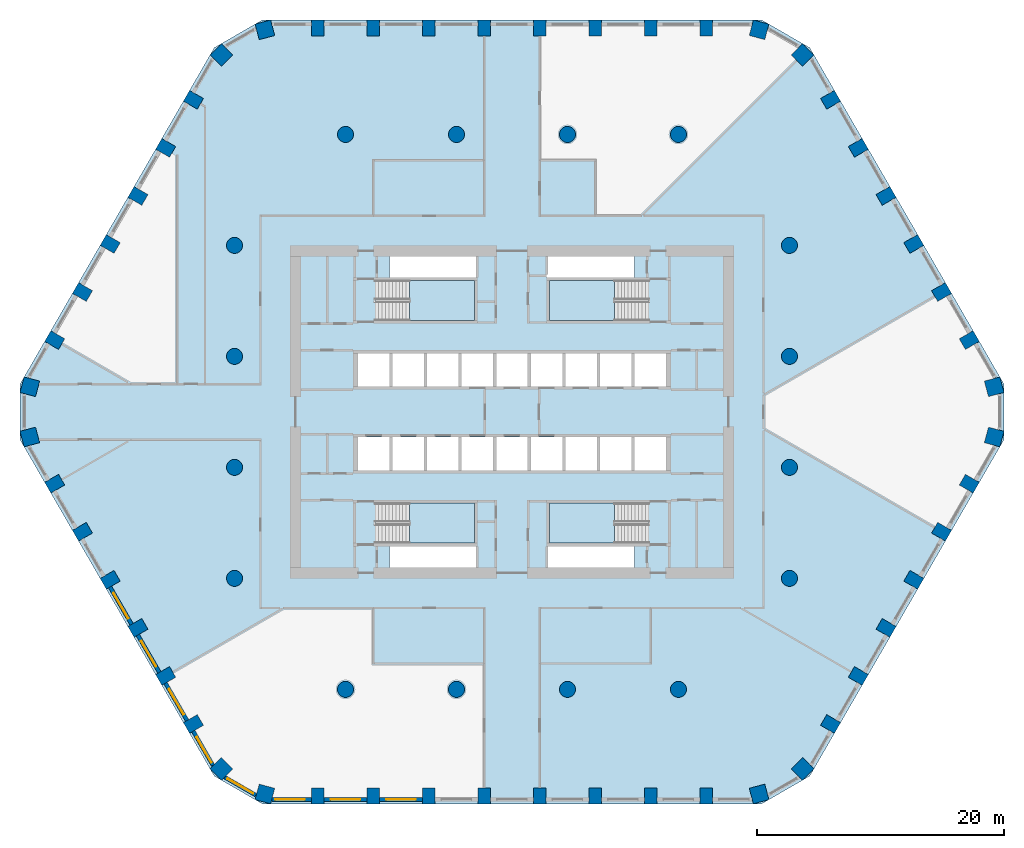
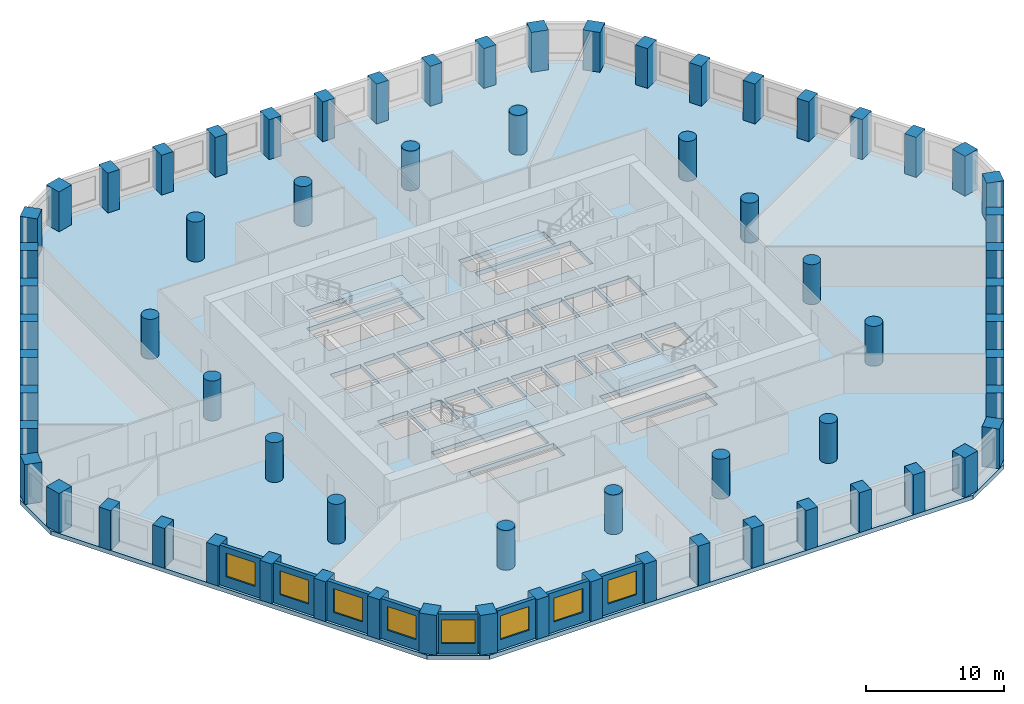
# One storey, part 1 of 14: 68 columns, 8 walls, 8 windows, 5 slabs, 8 openings, 4 elements without a shape of their own.
"""IFC4 building model written with IfcOpenShell, lengths in metres."""

from ifc_helpers import new_model, si_unit, direction, frame, frame_2d, origin, origin_2d, place, context, subcontext, project, spatial, polyline, rectangle, circle, outline, extrude, material, layer, layer_set, material_profile, profile_set, type_object, element, fill, aggregate, save


model = new_model("IFC4")

# Units and contexts
model_context = context("Model", 3, precision=1e-05, world=origin(), true_north=direction((0.0, 1.0)))
body_context = subcontext(model_context, "Body", "Model", "MODEL_VIEW")
ifc_project = project(units=[si_unit("LENGTHUNIT", "METRE"), si_unit("AREAUNIT", "SQUARE_METRE"), si_unit("VOLUMEUNIT", "CUBIC_METRE"), si_unit("PLANEANGLEUNIT", "RADIAN"), si_unit("MASSUNIT", "GRAM", prefix="KILO")], contexts=[model_context])

# Site, building, storey
site_placement = place(None, origin())
site = spatial("IfcSite", under=ifc_project, at=site_placement, CompositionType="ELEMENT")
building_placement = place(site_placement, origin())
building = spatial("IfcBuilding", under=site, at=building_placement, Name="Dhurran Vertical Campus", CompositionType="ELEMENT")
storey_placement = place(building_placement, frame((0.0, 0.0, 93.0)))
storey = spatial("IfcBuildingStorey", under=building, at=storey_placement, Name="L22", CompositionType="ELEMENT", Elevation=93.0)

# Columns
ifc_material_1 = material(Name="Concrete C60/75", Category="concrete")
ifc_material_profile_1 = material_profile(ifc_material_1, rectangle(XDim=1.0, YDim=1.300048828125, at=origin_2d()), Name="RC 1000x1300")
ifc_profile_set_1 = profile_set([ifc_material_profile_1], Name="Concrete C60/75")
column_type_1 = type_object("IfcColumnType", Name="FR COL RC 1000x1300 C60/75", PredefinedType="COLUMN", material=ifc_profile_set_1)
for number, where, z_axis, x_axis, name in (
    (1, (-15.75, -31.1298828125, 0.0), (0.0, 0.0, 1.0), (1.0, 0.0, 0.0), "Perimeter pier PP2.01"),
    (2, (-11.25, -31.1298828125, 0.0), (0.0, 0.0, 1.0), (1.0, 0.0, 0.0), "Perimeter pier PP2.02"),
    (3, (-6.75, -31.1298828125, 0.0), (0.0, 0.0, 1.0), (1.0, 0.0, 0.0), "Perimeter pier PP2.03"),
    (4, (-2.25, -31.1298828125, 0.0), (0.0, 0.0, 1.0), (1.0, 0.0, 0.0), "Perimeter pier PP2.04"),
    (5, (2.25, -31.1298828125, 0.0), (0.0, 0.0, 1.0), (1.0, 0.0, 0.0), "Perimeter pier PP2.05"),
    (6, (6.75, -31.1298828125, 0.0), (0.0, 0.0, 1.0), (1.0, 0.0, 0.0), "Perimeter pier PP2.06"),
    (7, (11.25, -31.1298828125, 0.0), (0.0, 0.0, 1.0), (1.0, 0.0, 0.0), "Perimeter pier PP2.07"),
    (8, (15.75, -31.1298828125, 0.0), (0.0, 0.0, 1.0), (1.0, 0.0, 0.0), "Perimeter pier PP2.08"),
    (9, (25.834228515625, -25.3076171875, 0.0), (0.0, 0.0, 1.0), (0.5, 0.866025403784, 0.0), "Perimeter pier PP2.11"),
    (10, (28.084228515625, -21.41064453125, 0.0), (0.0, 0.0, 1.0), (0.5, 0.866025403784, 0.0), "Perimeter pier PP2.12"),
    (11, (30.334228515625, -17.513427734375, 0.0), (0.0, 0.0, 1.0), (0.5, 0.866025403784, 0.0), "Perimeter pier PP2.13"),
    (12, (32.584228515625, -13.6162109375, 0.0), (0.0, 0.0, 1.0), (0.5, 0.866025403784, 0.0), "Perimeter pier PP2.14"),
    (13, (34.834228515625, -9.71923828125, 0.0), (0.0, 0.0, 1.0), (0.5, 0.866025403784, 0.0), "Perimeter pier PP2.15"),
    (14, (37.084228515625, -5.822021484375, 0.0), (0.0, 0.0, 1.0), (0.5, 0.866025403784, 0.0), "Perimeter pier PP2.16"),
    (15, (37.084228515625, 5.822021484375, 0.0), (0.0, 0.0, 1.0), (-0.5, 0.866025403784, 0.0), "Perimeter pier PP2.19"),
    (16, (34.834228515625, 9.71923828125, 0.0), (0.0, 0.0, 1.0), (-0.5, 0.866025403784, 0.0), "Perimeter pier PP2.20"),
    (17, (32.584228515625, 13.6162109375, 0.0), (0.0, 0.0, 1.0), (-0.5, 0.866025403784, 0.0), "Perimeter pier PP2.21"),
    (18, (30.334228515625, 17.513427734375, 0.0), (0.0, 0.0, 1.0), (-0.5, 0.866025403784, 0.0), "Perimeter pier PP2.22"),
    (19, (28.084228515625, 21.41064453125, 0.0), (0.0, 0.0, 1.0), (-0.5, 0.866025403784, 0.0), "Perimeter pier PP2.23"),
    (20, (25.834228515625, 25.3076171875, 0.0), (0.0, 0.0, 1.0), (-0.5, 0.866025403784, 0.0), "Perimeter pier PP2.24"),
    (21, (15.75, 31.1298828125, 0.0), (0.0, 0.0, 1.0), (-1.0, 0.0, 0.0), "Perimeter pier PP2.27"),
    (22, (11.25, 31.1298828125, 0.0), (0.0, 0.0, 1.0), (-1.0, 0.0, 0.0), "Perimeter pier PP2.28"),
    (23, (6.75, 31.1298828125, 0.0), (0.0, 0.0, 1.0), (-1.0, 0.0, 0.0), "Perimeter pier PP2.29"),
    (24, (2.25, 31.1298828125, 0.0), (0.0, 0.0, 1.0), (-1.0, 0.0, 0.0), "Perimeter pier PP2.30"),
    (25, (-2.25, 31.1298828125, 0.0), (0.0, 0.0, 1.0), (-1.0, 0.0, 0.0), "Perimeter pier PP2.31"),
    (26, (-6.75, 31.1298828125, 0.0), (0.0, 0.0, 1.0), (-1.0, 0.0, 0.0), "Perimeter pier PP2.32"),
    (27, (-11.25, 31.1298828125, 0.0), (0.0, 0.0, 1.0), (-1.0, 0.0, 0.0), "Perimeter pier PP2.33"),
    (28, (-15.75, 31.1298828125, 0.0), (0.0, 0.0, 1.0), (-1.0, 0.0, 0.0), "Perimeter pier PP2.34"),
    (29, (-25.834228515625, 25.3076171875, 0.0), (0.0, 0.0, 1.0), (-0.5, -0.866025403784, 0.0), "Perimeter pier PP2.37"),
    (30, (-28.084228515625, 21.41064453125, 0.0), (0.0, 0.0, 1.0), (-0.5, -0.866025403784, 0.0), "Perimeter pier PP2.38"),
    (31, (-30.334228515625, 17.513427734375, 0.0), (0.0, 0.0, 1.0), (-0.5, -0.866025403784, 0.0), "Perimeter pier PP2.39"),
    (32, (-32.584228515625, 13.6162109375, 0.0), (0.0, 0.0, 1.0), (-0.5, -0.866025403784, 0.0), "Perimeter pier PP2.40"),
    (33, (-34.834228515625, 9.71923828125, 0.0), (0.0, 0.0, 1.0), (-0.5, -0.866025403784, 0.0), "Perimeter pier PP2.41"),
    (34, (-37.084228515625, 5.822021484375, 0.0), (0.0, 0.0, 1.0), (-0.5, -0.866025403784, 0.0), "Perimeter pier PP2.42"),
    (35, (-37.084228515625, -5.822021484375, 0.0), (0.0, 0.0, 1.0), (0.5, -0.866025403784, 0.0), "Perimeter pier PP2.45"),
    (36, (-34.834228515625, -9.71923828125, 0.0), (0.0, 0.0, 1.0), (0.5, -0.866025403784, 0.0), "Perimeter pier PP2.46"),
    (37, (-32.584228515625, -13.6162109375, 0.0), (0.0, 0.0, 1.0), (0.5, -0.866025403784, 0.0), "Perimeter pier PP2.47"),
    (38, (-30.334228515625, -17.513427734375, 0.0), (0.0, 0.0, 1.0), (0.5, -0.866025403784, 0.0), "Perimeter pier PP2.48"),
    (39, (-28.084228515625, -21.41064453125, 0.0), (0.0, 0.0, 1.0), (0.5, -0.866025403784, 0.0), "Perimeter pier PP2.49"),
    (40, (-25.834228515625, -25.3076171875, 0.0), (0.0, 0.0, 1.0), (0.5, -0.866025403784, 0.0), "Perimeter pier PP2.50"),
):
    element("IfcColumn", number, at=place(storey_placement, frame(where, z_axis=z_axis, x_axis=x_axis)), inside=storey, type_object=column_type_1, Name=name, PredefinedType="COLUMN", context=body_context, shape_type="SweptSolid", body=[
        extrude(rectangle(XDim=1.0, YDim=1.300048828125, at=origin_2d()), origin(), (0.0, 0.0, 1.0), 3.52490234375),
    ])
ifc_material_2 = material(Name="Concrete C60/75", Category="concrete")
ifc_material_profile_2 = material_profile(ifc_material_2, rectangle(XDim=1.300048828125, YDim=1.300048828125, at=origin_2d()), Name="RC 1300x1300")
ifc_profile_set_2 = profile_set([ifc_material_profile_2], Name="Concrete C60/75")
column_type_2 = type_object("IfcColumnType", Name="FR COL RC 1300x1300 C60/75", PredefinedType="COLUMN", material=ifc_profile_set_2)
for number, where, z_axis, x_axis, name in (
    (41, (-20.03662109375, -30.983642578125, 0.0), (0.0, 0.0, 1.0), (0.965925826289, -0.258819045103, 0.0), "Perimeter pier PP2.00"),
    (42, (20.03662109375, -30.983642578125, 0.0), (0.0, 0.0, 1.0), (0.965925826289, 0.258819045103, 0.0), "Perimeter pier PP2.09"),
    (43, (23.564208984375, -28.947021484375, 0.0), (0.0, 0.0, 1.0), (0.707106781187, 0.707106781187, 0.0), "Perimeter pier PP2.10"),
    (44, (39.10107421875, -2.03662109375, 0.0), (0.0, 0.0, 1.0), (0.258819045103, 0.965925826289, 0.0), "Perimeter pier PP2.17"),
    (45, (39.10107421875, 2.03662109375, 0.0), (0.0, 0.0, 1.0), (-0.258819045103, 0.965925826289, 0.0), "Perimeter pier PP2.18"),
    (46, (23.564208984375, 28.947021484375, 0.0), (0.0, 0.0, 1.0), (-0.707106781187, 0.707106781187, 0.0), "Perimeter pier PP2.25"),
    (47, (20.03662109375, 30.983642578125, 0.0), (0.0, 0.0, 1.0), (-0.965925826289, 0.258819045103, 0.0), "Perimeter pier PP2.26"),
    (48, (-20.03662109375, 30.983642578125, 0.0), (0.0, 0.0, 1.0), (-0.965925826289, -0.258819045103, 0.0), "Perimeter pier PP2.35"),
    (49, (-23.564208984375, 28.947021484375, 0.0), (0.0, 0.0, 1.0), (-0.707106781187, -0.707106781187, 0.0), "Perimeter pier PP2.36"),
    (50, (-39.10107421875, 2.03662109375, 0.0), (0.0, 0.0, 1.0), (-0.258819045103, -0.965925826289, 0.0), "Perimeter pier PP2.43"),
    (51, (-39.10107421875, -2.03662109375, 0.0), (0.0, 0.0, 1.0), (0.258819045103, -0.965925826289, 0.0), "Perimeter pier PP2.44"),
    (52, (-23.564208984375, -28.947021484375, 0.0), (0.0, 0.0, 1.0), (0.707106781187, -0.707106781187, 0.0), "Perimeter pier PP2.51"),
):
    element("IfcColumn", number, at=place(storey_placement, frame(where, z_axis=z_axis, x_axis=x_axis)), inside=storey, type_object=column_type_2, Name=name, PredefinedType="COLUMN", context=body_context, shape_type="SweptSolid", body=[
        extrude(rectangle(XDim=1.300048828125, YDim=1.300048828125, at=origin_2d()), origin(), (0.0, 0.0, 1.0), 3.52490234375),
    ])
ifc_material_3 = material(Name="Concrete C60/75", Category="concrete")
ifc_material_profile_3 = material_profile(ifc_material_3, circle(Radius=0.64990234375, at=origin_2d()), Name="RCC D1300")
ifc_profile_set_3 = profile_set([ifc_material_profile_3], Name="Concrete C60/75")
column_type_3 = type_object("IfcColumnType", Name="FR COL RCC D1300 C60/75", PredefinedType="COLUMN", material=ifc_profile_set_3)
for number, where, z_axis, x_axis, name in (
    (53, (-22.5, -13.5, 0.0), (0.0, 0.0, 1.0), (1.0, 0.0, 0.0), "Inner column IC2-D4"),
    (54, (-22.5, -4.5, 0.0), (0.0, 0.0, 1.0), (1.0, 0.0, 0.0), "Inner column IC2-D5"),
    (55, (-22.5, 4.5, 0.0), (0.0, 0.0, 1.0), (1.0, 0.0, 0.0), "Inner column IC2-D6"),
    (56, (-22.5, 13.5, 0.0), (0.0, 0.0, 1.0), (1.0, 0.0, 0.0), "Inner column IC2-D7"),
    (57, (-13.5, -22.5, 0.0), (0.0, 0.0, 1.0), (1.0, 0.0, 0.0), "Inner column IC2-E3"),
    (58, (-13.5, 22.5, 0.0), (0.0, 0.0, 1.0), (1.0, 0.0, 0.0), "Inner column IC2-E8"),
    (59, (-4.5, -22.5, 0.0), (0.0, 0.0, 1.0), (1.0, 0.0, 0.0), "Inner column IC2-F3"),
    (60, (-4.5, 22.5, 0.0), (0.0, 0.0, 1.0), (1.0, 0.0, 0.0), "Inner column IC2-F8"),
    (61, (4.5, -22.5, 0.0), (0.0, 0.0, 1.0), (1.0, 0.0, 0.0), "Inner column IC2-G3"),
    (62, (4.5, 22.5, 0.0), (0.0, 0.0, 1.0), (1.0, 0.0, 0.0), "Inner column IC2-G8"),
    (63, (13.5, -22.5, 0.0), (0.0, 0.0, 1.0), (1.0, 0.0, 0.0), "Inner column IC2-H3"),
    (64, (13.5, 22.5, 0.0), (0.0, 0.0, 1.0), (1.0, 0.0, 0.0), "Inner column IC2-H8"),
    (65, (22.5, -13.5, 0.0), (0.0, 0.0, 1.0), (1.0, 0.0, 0.0), "Inner column IC2-J4"),
    (66, (22.5, -4.5, 0.0), (0.0, 0.0, 1.0), (1.0, 0.0, 0.0), "Inner column IC2-J5"),
    (67, (22.5, 4.5, 0.0), (0.0, 0.0, 1.0), (1.0, 0.0, 0.0), "Inner column IC2-J6"),
    (68, (22.5, 13.5, 0.0), (0.0, 0.0, 1.0), (1.0, 0.0, 0.0), "Inner column IC2-J7"),
):
    element("IfcColumn", number, at=place(storey_placement, frame(where, z_axis=z_axis, x_axis=x_axis)), inside=storey, type_object=column_type_3, Name=name, PredefinedType="COLUMN", context=body_context, shape_type="SweptSolid", body=[
        extrude(circle(Radius=0.64990234375, at=origin_2d()), origin(), (0.0, 0.0, 1.0), 3.52490234375),
    ])

# Slab
ifc_material_4 = material(Name="Concrete C40/50", Category="concrete")
ifc_layer_1 = layer(ifc_material_4, 0.375)
ifc_layer_set_1 = layer_set([ifc_layer_1], Name="Concrete C40/50")
slab_type_1 = type_object("IfcSlabType", Name="FR POST-TENSIONED FLAT SLAB 375", PredefinedType="FLOOR", material=ifc_layer_set_1)
slab_1_placement = place(storey_placement, frame((0.0, 0.0, -0.375)))
element("IfcSlab", 69, at=slab_1_placement, inside=storey, type_object=slab_type_1, Name="Floor slab L22", PredefinedType="FLOOR", context=body_context, shape_type="SweptSolid", body=[
    extrude(outline(polyline([(-20.25, -31.77978515625), (20.25, -31.77978515625), (24.147216796875, -29.52978515625), (39.897216796875, -2.25), (39.897216796875, 2.25), (24.147216796875, 29.52978515625), (20.25, 31.77978515625), (-20.25, 31.77978515625), (-24.147216796875, 29.52978515625), (-39.897216796875, 2.25), (-39.897216796875, -2.25), (-24.147216796875, -29.52978515625), (-20.25, -31.77978515625)]), holes=[polyline([(-12.47509765625, 2.050048828125), (-9.925048828125, 2.050048828125), (-9.925048828125, 4.75), (-12.47509765625, 4.75), (-12.47509765625, 2.050048828125)]), polyline([(-9.675048828125, 2.050048828125), (-7.125, 2.050048828125), (-7.125, 4.75), (-9.675048828125, 4.75), (-9.675048828125, 2.050048828125)]), polyline([(-6.875, 2.050048828125), (-4.324951171875, 2.050048828125), (-4.324951171875, 4.75), (-6.875, 4.75), (-6.875, 2.050048828125)]), polyline([(-1.27490234375, 2.050048828125), (1.27490234375, 2.050048828125), (1.27490234375, 4.75), (-1.27490234375, 4.75), (-1.27490234375, 2.050048828125)]), polyline([(9.925048828125, 2.050048828125), (12.47509765625, 2.050048828125), (12.47509765625, 4.75), (9.925048828125, 4.75), (9.925048828125, 2.050048828125)]), polyline([(-1.27490234375, -4.75), (1.27490234375, -4.75), (1.27490234375, -2.050048828125), (-1.27490234375, -2.050048828125), (-1.27490234375, -4.75)]), polyline([(1.52490234375, -4.75), (4.074951171875, -4.75), (4.074951171875, -2.050048828125), (1.52490234375, -2.050048828125), (1.52490234375, -4.75)]), polyline([(4.324951171875, -4.75), (6.875, -4.75), (6.875, -2.050048828125), (4.324951171875, -2.050048828125), (4.324951171875, -4.75)]), polyline([(7.125, -4.75), (9.675048828125, -4.75), (9.675048828125, -2.050048828125), (7.125, -2.050048828125), (7.125, -4.75)]), polyline([(9.925048828125, -4.75), (12.47509765625, -4.75), (12.47509765625, -2.050048828125), (9.925048828125, -2.050048828125), (9.925048828125, -4.75)]), polyline([(-4.074951171875, 2.050048828125), (-1.52490234375, 2.050048828125), (-1.52490234375, 4.75), (-4.074951171875, 4.75), (-4.074951171875, 2.050048828125)]), polyline([(1.52490234375, 2.050048828125), (4.074951171875, 2.050048828125), (4.074951171875, 4.75), (1.52490234375, 4.75), (1.52490234375, 2.050048828125)]), polyline([(4.324951171875, 2.050048828125), (6.875, 2.050048828125), (6.875, 4.75), (4.324951171875, 4.75), (4.324951171875, 2.050048828125)]), polyline([(7.125, 2.050048828125), (9.675048828125, 2.050048828125), (9.675048828125, 4.75), (7.125, 4.75), (7.125, 2.050048828125)]), polyline([(-12.47509765625, -4.75), (-9.925048828125, -4.75), (-9.925048828125, -2.050048828125), (-12.47509765625, -2.050048828125), (-12.47509765625, -4.75)]), polyline([(-9.675048828125, -4.75), (-7.125, -4.75), (-7.125, -2.050048828125), (-9.675048828125, -2.050048828125), (-9.675048828125, -4.75)]), polyline([(-6.875, -4.75), (-4.324951171875, -4.75), (-4.324951171875, -2.050048828125), (-6.875, -2.050048828125), (-6.875, -4.75)]), polyline([(-4.074951171875, -4.75), (-1.52490234375, -4.75), (-1.52490234375, -2.050048828125), (-4.074951171875, -2.050048828125), (-4.074951171875, -4.75)]), polyline([(-11.050048828125, 7.39990234375), (-3.050048828125, 7.39990234375), (-3.050048828125, 10.64990234375), (-11.050048828125, 10.64990234375), (-11.050048828125, 7.39990234375)]), polyline([(3.050048828125, 7.39990234375), (11.050048828125, 7.39990234375), (11.050048828125, 10.64990234375), (3.050048828125, 10.64990234375), (3.050048828125, 7.39990234375)]), polyline([(-11.050048828125, -10.64990234375), (-3.050048828125, -10.64990234375), (-3.050048828125, -7.39990234375), (-11.050048828125, -7.39990234375), (-11.050048828125, -10.64990234375)]), polyline([(3.050048828125, -10.64990234375), (11.050048828125, -10.64990234375), (11.050048828125, -7.39990234375), (3.050048828125, -7.39990234375), (3.050048828125, -10.64990234375)]), polyline([(-9.949951171875, 10.89990234375), (-9.949951171875, 12.60009765625), (-2.800048828125, 12.60009765625), (-2.800048828125, 10.89990234375), (-9.949951171875, 10.89990234375)]), polyline([(9.949951171875, 12.60009765625), (9.949951171875, 10.89990234375), (2.800048828125, 10.89990234375), (2.800048828125, 12.60009765625), (9.949951171875, 12.60009765625)]), polyline([(-9.949951171875, -12.60009765625), (-9.949951171875, -10.89990234375), (-2.800048828125, -10.89990234375), (-2.800048828125, -12.60009765625), (-9.949951171875, -12.60009765625)]), polyline([(9.949951171875, -10.89990234375), (9.949951171875, -12.60009765625), (2.800048828125, -12.60009765625), (2.800048828125, -10.89990234375), (9.949951171875, -10.89990234375)])]), origin(), (0.0, 0.0, 1.0), 0.375),
])

# Stair, slab
ifc_material_5 = material(Name="Concrete C40/50", Category="concrete")
stair_type = type_object("IfcStairType", Name="co-ST-CORE", PredefinedType="HALF_TURN_STAIR", material=ifc_material_5)
stair_1_placement = place(storey_placement, origin())
stair_1 = element("IfcStair", 70, at=stair_1_placement, inside=storey, type_object=stair_type, Name="L22 Protected exit stair ST1", PredefinedType="HALF_TURN_STAIR")
ifc_material_6 = material(Name="Concrete C40/50", Category="concrete")
ifc_layer_2 = layer(ifc_material_6, 0.199951171875)
ifc_layer_set_2 = layer_set([ifc_layer_2], Name="Concrete C40/50")
slab_type_2 = type_object("IfcSlabType", Name="co-SL-LANDING", PredefinedType="LANDING", material=ifc_layer_set_2)
slab_2_placement = place(storey_placement, frame((0.0, 0.0, 1.75)))
slab_2 = element("IfcSlab", 71, at=slab_2_placement, type_object=slab_type_2, Name="ST1 landing 1", PredefinedType="LANDING", context=body_context, shape_type="SweptSolid", body=[
    extrude(outline(polyline([(-8.300048828125, 7.39990234375), (-3.050048828125, 7.39990234375), (-3.050048828125, 10.64990234375), (-8.300048828125, 10.64990234375), (-8.300048828125, 7.39990234375)])), origin(), (0.0, 0.0, 1.0), 0.199951171875),
])
aggregate(stair_1, [slab_2])

stair_2_placement = place(storey_placement, origin())
stair_2 = element("IfcStair", 72, at=stair_2_placement, inside=storey, type_object=stair_type, Name="L22 Protected exit stair ST2", PredefinedType="HALF_TURN_STAIR")
slab_3_placement = place(storey_placement, frame((0.0, 0.0, 1.75)))
slab_3 = element("IfcSlab", 73, at=slab_3_placement, type_object=slab_type_2, Name="ST2 landing 1", PredefinedType="LANDING", context=body_context, shape_type="SweptSolid", body=[
    extrude(outline(polyline([(8.300048828125, 10.64990234375), (3.050048828125, 10.64990234375), (3.050048828125, 7.39990234375), (8.300048828125, 7.39990234375), (8.300048828125, 10.64990234375)])), origin(), (0.0, 0.0, 1.0), 0.199951171875),
])
aggregate(stair_2, [slab_3])

stair_3_placement = place(storey_placement, origin())
stair_3 = element("IfcStair", 74, at=stair_3_placement, inside=storey, type_object=stair_type, Name="L22 Protected exit stair ST3", PredefinedType="HALF_TURN_STAIR")
slab_4_placement = place(storey_placement, frame((0.0, 0.0, 1.75)))
slab_4 = element("IfcSlab", 75, at=slab_4_placement, type_object=slab_type_2, Name="ST3 landing 1", PredefinedType="LANDING", context=body_context, shape_type="SweptSolid", body=[
    extrude(outline(polyline([(-8.300048828125, -10.64990234375), (-3.050048828125, -10.64990234375), (-3.050048828125, -7.39990234375), (-8.300048828125, -7.39990234375), (-8.300048828125, -10.64990234375)])), origin(), (0.0, 0.0, 1.0), 0.199951171875),
])
aggregate(stair_3, [slab_4])

stair_4_placement = place(storey_placement, origin())
stair_4 = element("IfcStair", 76, at=stair_4_placement, inside=storey, type_object=stair_type, Name="L22 Protected exit stair ST4", PredefinedType="HALF_TURN_STAIR")
slab_5_placement = place(storey_placement, frame((0.0, 0.0, 1.75)))
slab_5 = element("IfcSlab", 77, at=slab_5_placement, type_object=slab_type_2, Name="ST4 landing 1", PredefinedType="LANDING", context=body_context, shape_type="SweptSolid", body=[
    extrude(outline(polyline([(8.300048828125, -7.39990234375), (3.050048828125, -7.39990234375), (3.050048828125, -10.64990234375), (8.300048828125, -10.64990234375), (8.300048828125, -7.39990234375)])), origin(), (0.0, 0.0, 1.0), 0.199951171875),
])
aggregate(stair_4, [slab_5])

# Wall, opening, window
ifc_material_7 = material(Name="Precast concrete C50/60", Category="concrete")
ifc_layer_3 = layer(ifc_material_7, 0.300048828125)
ifc_layer_set_3 = layer_set([ifc_layer_3], Name="Precast concrete C50/60")
wall_type = type_object("IfcWallType", Name="Precast spandrel wall 300", PredefinedType="SOLIDWALL", material=ifc_layer_set_3)
wall_1_placement = place(storey_placement, frame((-19.44287109375, -31.4296875, 0.0), z_axis=(0.0, 0.0, 1.0), x_axis=(1.0, 0.0, 0.0)))
wall_1 = element("IfcWall", 78, at=wall_1_placement, inside=storey, type_object=wall_type, Name="EW1 L22.00", PredefinedType="SOLIDWALL", context=body_context, shape_type="SweptSolid", body=[
    extrude(rectangle(XDim=3.1923828125, YDim=0.300048828125, at=frame_2d((1.59619140625, 0.0))), origin(), (0.0, 0.0, 1.0), 3.52490234375),
])
opening_1_placement = place(wall_1_placement, frame((0.242919921875, 0.0, 0.89990234375)))
opening_1 = element("IfcOpeningElement", 79, at=opening_1_placement, cuts=wall_1, Name="Opening WT1", PredefinedType="OPENING", context=body_context, shape_type="SweptSolid", body=[
    extrude(rectangle(XDim=2.39990234375, YDim=2.10009765625, at=frame_2d((1.199951171875, 1.050048828125))), frame((0.0, 0.159912109375, 0.0), z_axis=(0.0, -1.0, 0.0), x_axis=(1.0, 0.0, 0.0)), (0.0, 0.0, 1.0), 0.320068359375),
])
ifc_material_8 = material(Name="Aluminium frame with solar-control glass", Category="aluminium")
window_type = type_object("IfcWindowType", Name="Punched window 2400 x 2100", PartitioningType="SINGLE_PANEL", PredefinedType="WINDOW", material=ifc_material_8)
window_1_placement = place(opening_1_placement, origin())
window_1 = element("IfcWindow", 80, at=window_1_placement, inside=storey, type_object=window_type, Name="WT1 L22.00", OverallHeight=2.10009765625, OverallWidth=2.39990234375, PartitioningType="SINGLE_PANEL", PredefinedType="WINDOW", context=body_context, shape_type="SweptSolid", body=[
    extrude(rectangle(XDim=2.39990234375, YDim=2.10009765625, at=frame_2d((1.199951171875, 1.050048828125))), frame((0.0, 0.030029296875, 0.0), z_axis=(0.0, -1.0, 0.0), x_axis=(1.0, 0.0, 0.0)), (0.0, 0.0, 1.0), 0.06005859375),
])
fill(opening_1, window_1)

wall_2_placement = place(storey_placement, frame((-15.24951171875, -31.4296875, 0.0), z_axis=(0.0, 0.0, 1.0), x_axis=(1.0, 0.0, 0.0)))
wall_2 = element("IfcWall", 81, at=wall_2_placement, inside=storey, type_object=wall_type, Name="EW1 L22.01", PredefinedType="SOLIDWALL", context=body_context, shape_type="SweptSolid", body=[
    extrude(rectangle(XDim=3.4990234375, YDim=0.300048828125, at=frame_2d((1.74951171875, 0.0))), origin(), (0.0, 0.0, 1.0), 3.52490234375),
])
opening_2_placement = place(wall_2_placement, frame((0.549560546875, 0.0, 0.89990234375)))
opening_2 = element("IfcOpeningElement", 82, at=opening_2_placement, cuts=wall_2, Name="Opening WT1", PredefinedType="OPENING", context=body_context, shape_type="SweptSolid", body=[
    extrude(rectangle(XDim=2.39990234375, YDim=2.10009765625, at=frame_2d((1.199951171875, 1.050048828125))), frame((0.0, 0.159912109375, 0.0), z_axis=(0.0, -1.0, 0.0), x_axis=(1.0, 0.0, 0.0)), (0.0, 0.0, 1.0), 0.320068359375),
])
window_2_placement = place(opening_2_placement, origin())
window_2 = element("IfcWindow", 83, at=window_2_placement, inside=storey, type_object=window_type, Name="WT1 L22.01", OverallHeight=2.10009765625, OverallWidth=2.39990234375, PartitioningType="SINGLE_PANEL", PredefinedType="WINDOW", context=body_context, shape_type="SweptSolid", body=[
    extrude(rectangle(XDim=2.39990234375, YDim=2.10009765625, at=frame_2d((1.199951171875, 1.050048828125))), frame((0.0, 0.030029296875, 0.0), z_axis=(0.0, -1.0, 0.0), x_axis=(1.0, 0.0, 0.0)), (0.0, 0.0, 1.0), 0.06005859375),
])
fill(opening_2, window_2)

wall_3_placement = place(storey_placement, frame((-10.74951171875, -31.4296875, 0.0), z_axis=(0.0, 0.0, 1.0), x_axis=(1.0, 0.0, 0.0)))
wall_3 = element("IfcWall", 84, at=wall_3_placement, inside=storey, type_object=wall_type, Name="EW1 L22.02", PredefinedType="SOLIDWALL", context=body_context, shape_type="SweptSolid", body=[
    extrude(rectangle(XDim=3.4990234375, YDim=0.300048828125, at=frame_2d((1.74951171875, 0.0))), origin(), (0.0, 0.0, 1.0), 3.52490234375),
])
opening_3_placement = place(wall_3_placement, frame((0.549560546875, 0.0, 0.89990234375)))
opening_3 = element("IfcOpeningElement", 85, at=opening_3_placement, cuts=wall_3, Name="Opening WT1", PredefinedType="OPENING", context=body_context, shape_type="SweptSolid", body=[
    extrude(rectangle(XDim=2.39990234375, YDim=2.10009765625, at=frame_2d((1.199951171875, 1.050048828125))), frame((0.0, 0.159912109375, 0.0), z_axis=(0.0, -1.0, 0.0), x_axis=(1.0, 0.0, 0.0)), (0.0, 0.0, 1.0), 0.320068359375),
])
window_3_placement = place(opening_3_placement, origin())
window_3 = element("IfcWindow", 86, at=window_3_placement, inside=storey, type_object=window_type, Name="WT1 L22.02", OverallHeight=2.10009765625, OverallWidth=2.39990234375, PartitioningType="SINGLE_PANEL", PredefinedType="WINDOW", context=body_context, shape_type="SweptSolid", body=[
    extrude(rectangle(XDim=2.39990234375, YDim=2.10009765625, at=frame_2d((1.199951171875, 1.050048828125))), frame((0.0, 0.030029296875, 0.0), z_axis=(0.0, -1.0, 0.0), x_axis=(1.0, 0.0, 0.0)), (0.0, 0.0, 1.0), 0.06005859375),
])
fill(opening_3, window_3)

wall_4_placement = place(storey_placement, frame((-32.59375, -14.19970703125, 0.0), z_axis=(0.0, 0.0, 1.0), x_axis=(0.499996256241, -0.866027565234, 0.0)))
wall_4 = element("IfcWall", 87, at=wall_4_placement, inside=storey, type_object=wall_type, Name="EW1 L22.47", PredefinedType="SOLIDWALL", context=body_context, shape_type="SweptSolid", body=[
    extrude(rectangle(XDim=3.4990234375, YDim=0.300048828125, at=frame_2d((1.74951171875, 0.0))), origin(), (0.0, 0.0, 1.0), 3.52490234375),
])
opening_4_placement = place(wall_4_placement, frame((0.549560546875, 0.0, 0.89990234375)))
opening_4 = element("IfcOpeningElement", 88, at=opening_4_placement, cuts=wall_4, Name="Opening WT1", PredefinedType="OPENING", context=body_context, shape_type="SweptSolid", body=[
    extrude(rectangle(XDim=2.39990234375, YDim=2.10009765625, at=frame_2d((1.199951171875, 1.050048828125))), frame((0.0, 0.159912109375, 0.0), z_axis=(0.0, -1.0, 0.0), x_axis=(1.0, 0.0, 0.0)), (0.0, 0.0, 1.0), 0.320068359375),
])
window_4_placement = place(opening_4_placement, origin())
window_4 = element("IfcWindow", 89, at=window_4_placement, inside=storey, type_object=window_type, Name="WT1 L22.47", OverallHeight=2.10009765625, OverallWidth=2.39990234375, PartitioningType="SINGLE_PANEL", PredefinedType="WINDOW", context=body_context, shape_type="SweptSolid", body=[
    extrude(rectangle(XDim=2.39990234375, YDim=2.10009765625, at=frame_2d((1.199951171875, 1.050048828125))), frame((0.0, 0.030029296875, 0.0), z_axis=(0.0, -1.0, 0.0), x_axis=(1.0, 0.0, 0.0)), (0.0, 0.0, 1.0), 0.06005859375),
])
fill(opening_4, window_4)

wall_5_placement = place(storey_placement, frame((-30.34375, -18.096923828125, 0.0), z_axis=(0.0, 0.0, 1.0), x_axis=(0.499996256241, -0.866027565234, 0.0)))
wall_5 = element("IfcWall", 90, at=wall_5_placement, inside=storey, type_object=wall_type, Name="EW1 L22.48", PredefinedType="SOLIDWALL", context=body_context, shape_type="SweptSolid", body=[
    extrude(rectangle(XDim=3.4990234375, YDim=0.300048828125, at=frame_2d((1.74951171875, 0.0))), origin(), (0.0, 0.0, 1.0), 3.52490234375),
])
opening_5_placement = place(wall_5_placement, frame((0.549560546875, 0.0, 0.89990234375)))
opening_5 = element("IfcOpeningElement", 91, at=opening_5_placement, cuts=wall_5, Name="Opening WT1", PredefinedType="OPENING", context=body_context, shape_type="SweptSolid", body=[
    extrude(rectangle(XDim=2.39990234375, YDim=2.10009765625, at=frame_2d((1.199951171875, 1.050048828125))), frame((0.0, 0.159912109375, 0.0), z_axis=(0.0, -1.0, 0.0), x_axis=(1.0, 0.0, 0.0)), (0.0, 0.0, 1.0), 0.320068359375),
])
window_5_placement = place(opening_5_placement, origin())
window_5 = element("IfcWindow", 92, at=window_5_placement, inside=storey, type_object=window_type, Name="WT1 L22.48", OverallHeight=2.10009765625, OverallWidth=2.39990234375, PartitioningType="SINGLE_PANEL", PredefinedType="WINDOW", context=body_context, shape_type="SweptSolid", body=[
    extrude(rectangle(XDim=2.39990234375, YDim=2.10009765625, at=frame_2d((1.199951171875, 1.050048828125))), frame((0.0, 0.030029296875, 0.0), z_axis=(0.0, -1.0, 0.0), x_axis=(1.0, 0.0, 0.0)), (0.0, 0.0, 1.0), 0.06005859375),
])
fill(opening_5, window_5)

wall_6_placement = place(storey_placement, frame((-28.09375, -21.993896484375, 0.0), z_axis=(0.0, 0.0, 1.0), x_axis=(0.499996256241, -0.866027565234, 0.0)))
wall_6 = element("IfcWall", 93, at=wall_6_placement, inside=storey, type_object=wall_type, Name="EW1 L22.49", PredefinedType="SOLIDWALL", context=body_context, shape_type="SweptSolid", body=[
    extrude(rectangle(XDim=3.4990234375, YDim=0.300048828125, at=frame_2d((1.74951171875, 0.0))), origin(), (0.0, 0.0, 1.0), 3.52490234375),
])
opening_6_placement = place(wall_6_placement, frame((0.549560546875, 0.0, 0.89990234375)))
opening_6 = element("IfcOpeningElement", 94, at=opening_6_placement, cuts=wall_6, Name="Opening WT1", PredefinedType="OPENING", context=body_context, shape_type="SweptSolid", body=[
    extrude(rectangle(XDim=2.39990234375, YDim=2.10009765625, at=frame_2d((1.199951171875, 1.050048828125))), frame((0.0, 0.159912109375, 0.0), z_axis=(0.0, -1.0, 0.0), x_axis=(1.0, 0.0, 0.0)), (0.0, 0.0, 1.0), 0.320068359375),
])
window_6_placement = place(opening_6_placement, origin())
window_6 = element("IfcWindow", 95, at=window_6_placement, inside=storey, type_object=window_type, Name="WT1 L22.49", OverallHeight=2.10009765625, OverallWidth=2.39990234375, PartitioningType="SINGLE_PANEL", PredefinedType="WINDOW", context=body_context, shape_type="SweptSolid", body=[
    extrude(rectangle(XDim=2.39990234375, YDim=2.10009765625, at=frame_2d((1.199951171875, 1.050048828125))), frame((0.0, 0.030029296875, 0.0), z_axis=(0.0, -1.0, 0.0), x_axis=(1.0, 0.0, 0.0)), (0.0, 0.0, 1.0), 0.06005859375),
])
fill(opening_6, window_6)

wall_7_placement = place(storey_placement, frame((-25.84375, -25.89111328125, 0.0), z_axis=(0.0, 0.0, 1.0), x_axis=(0.500004907028, -0.866022570692, 0.0)))
wall_7 = element("IfcWall", 96, at=wall_7_placement, inside=storey, type_object=wall_type, Name="EW1 L22.50", PredefinedType="SOLIDWALL", context=body_context, shape_type="SweptSolid", body=[
    extrude(rectangle(XDim=3.1923828125, YDim=0.300048828125, at=frame_2d((1.59619140625, 0.0))), origin(), (0.0, 0.0, 1.0), 3.52490234375),
])
opening_7_placement = place(wall_7_placement, frame((0.549560546875, 0.0, 0.89990234375)))
opening_7 = element("IfcOpeningElement", 97, at=opening_7_placement, cuts=wall_7, Name="Opening WT1", PredefinedType="OPENING", context=body_context, shape_type="SweptSolid", body=[
    extrude(rectangle(XDim=2.39990234375, YDim=2.10009765625, at=frame_2d((1.199951171875, 1.050048828125))), frame((0.0, 0.159912109375, 0.0), z_axis=(0.0, -1.0, 0.0), x_axis=(1.0, 0.0, 0.0)), (0.0, 0.0, 1.0), 0.320068359375),
])
window_7_placement = place(opening_7_placement, origin())
window_7 = element("IfcWindow", 98, at=window_7_placement, inside=storey, type_object=window_type, Name="WT1 L22.50", OverallHeight=2.10009765625, OverallWidth=2.39990234375, PartitioningType="SINGLE_PANEL", PredefinedType="WINDOW", context=body_context, shape_type="SweptSolid", body=[
    extrude(rectangle(XDim=2.39990234375, YDim=2.10009765625, at=frame_2d((1.199951171875, 1.050048828125))), frame((0.0, 0.030029296875, 0.0), z_axis=(0.0, -1.0, 0.0), x_axis=(1.0, 0.0, 0.0)), (0.0, 0.0, 1.0), 0.06005859375),
])
fill(opening_7, window_7)

wall_8_placement = place(storey_placement, frame((-23.273193359375, -29.63037109375, 0.0), z_axis=(0.0, 0.0, 1.0), x_axis=(0.866053149362, -0.49995194017, 0.0)))
wall_8 = element("IfcWall", 99, at=wall_8_placement, inside=storey, type_object=wall_type, Name="EW1 L22.51", PredefinedType="SOLIDWALL", context=body_context, shape_type="SweptSolid", body=[
    extrude(rectangle(XDim=2.885498046875, YDim=0.300048828125, at=frame_2d((1.44287109375, 0.0))), origin(), (0.0, 0.0, 1.0), 3.52490234375),
])
opening_8_placement = place(wall_8_placement, frame((0.242919921875, 0.0, 0.89990234375)))
opening_8 = element("IfcOpeningElement", 100, at=opening_8_placement, cuts=wall_8, Name="Opening WT1", PredefinedType="OPENING", context=body_context, shape_type="SweptSolid", body=[
    extrude(rectangle(XDim=2.39990234375, YDim=2.10009765625, at=frame_2d((1.199951171875, 1.050048828125))), frame((0.0, 0.159912109375, 0.0), z_axis=(0.0, -1.0, 0.0), x_axis=(1.0, 0.0, 0.0)), (0.0, 0.0, 1.0), 0.320068359375),
])
window_8_placement = place(opening_8_placement, origin())
window_8 = element("IfcWindow", 101, at=window_8_placement, inside=storey, type_object=window_type, Name="WT1 L22.51", OverallHeight=2.10009765625, OverallWidth=2.39990234375, PartitioningType="SINGLE_PANEL", PredefinedType="WINDOW", context=body_context, shape_type="SweptSolid", body=[
    extrude(rectangle(XDim=2.39990234375, YDim=2.10009765625, at=frame_2d((1.199951171875, 1.050048828125))), frame((0.0, 0.030029296875, 0.0), z_axis=(0.0, -1.0, 0.0), x_axis=(1.0, 0.0, 0.0)), (0.0, 0.0, 1.0), 0.06005859375),
])
fill(opening_8, window_8)

save(model, "model.ifc")
